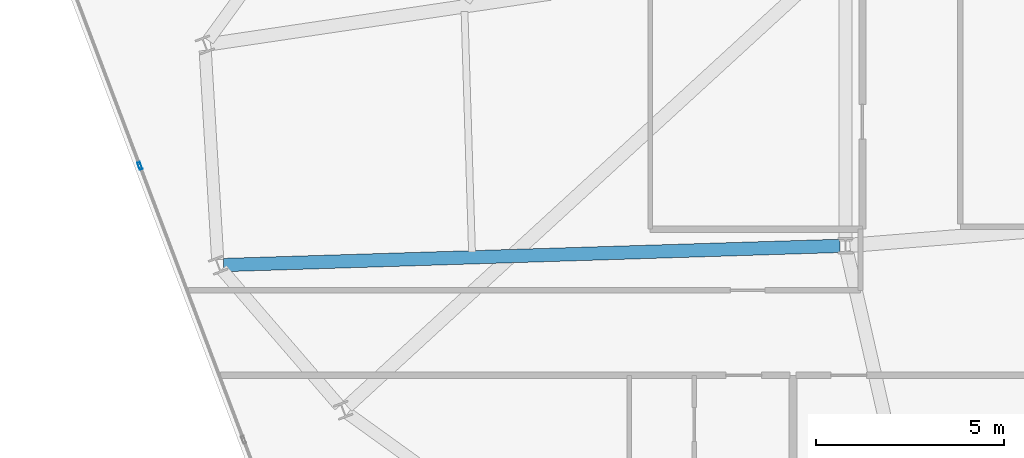
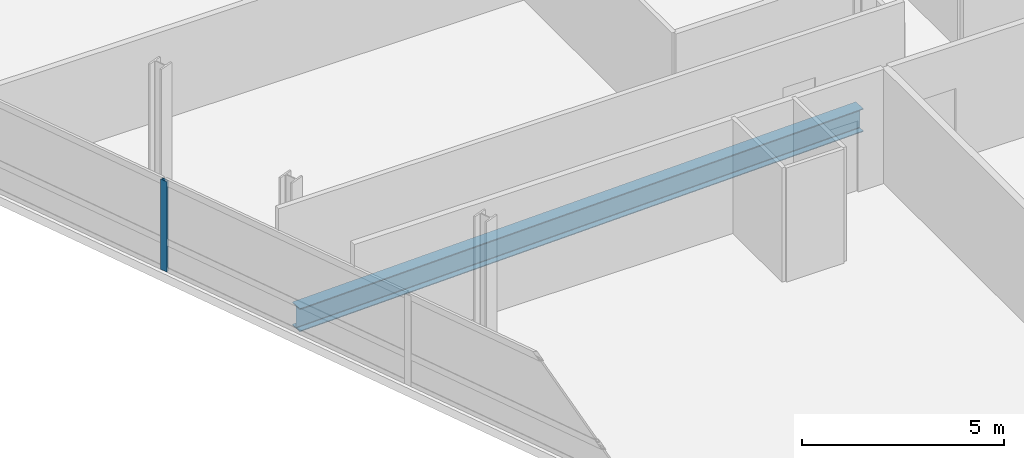
# One storey, part 8 of 23: 1 beam, 1 member, 1 element without a shape of its own.
"""IFC4 building model written with IfcOpenShell, lengths in metres."""

from ifc_helpers import new_model, si_unit, direction, frame, origin, origin_2d, place, context, subcontext, project, spatial, hollow_rectangle, i_section, extrude, material, layer, layer_set, material_profile, profile_set, type_object, element, aggregate, save


model = new_model("IFC4")

# Units and contexts
model_context = context("Model", 3, precision=1e-05, world=origin(), true_north=direction((0.0, 1.0)))
body_context = subcontext(model_context, "Body", "Model", "MODEL_VIEW")
ifc_project = project(units=[si_unit("LENGTHUNIT", "METRE"), si_unit("AREAUNIT", "SQUARE_METRE"), si_unit("VOLUMEUNIT", "CUBIC_METRE"), si_unit("PLANEANGLEUNIT", "RADIAN"), si_unit("MASSUNIT", "GRAM", prefix="KILO")], contexts=[model_context])

# Site, building, storey
site_placement = place(None, origin())
site = spatial("IfcSite", under=ifc_project, at=site_placement, CompositionType="ELEMENT")
building_placement = place(site_placement, origin())
building = spatial("IfcBuilding", under=site, at=building_placement, Name="Varnelok Gate Tower", CompositionType="ELEMENT")
storey_placement = place(building_placement, frame((0.0, 0.0, 227.5)))
storey = spatial("IfcBuildingStorey", under=building, at=storey_placement, Name="L58", CompositionType="ELEMENT", Elevation=227.5)

# Beam
ifc_material_1 = material(Name="Structural Steel ASTM A992 Grade 50", Category="steel")
ifc_material_profile_1 = material_profile(ifc_material_1, i_section(OverallWidth=0.35498046875, OverallDepth=0.696044921875, WebThickness=0.015380859375, FlangeThickness=0.02490234375, FilletRadius=0.02001953125, at=origin_2d()), Name="W27X146")
ifc_profile_set_1 = profile_set([ifc_material_profile_1], Name="Structural Steel ASTM A992 Grade 50")
beam_type = type_object("IfcBeamType", Name="BM-PRI-W27X146", PredefinedType="BEAM", material=ifc_profile_set_1)
beam_placement = place(storey_placement, frame((24.25, 18.79541015625, -0.597900390625), z_axis=(-0.999516665435, -0.031087546033, 0.0), x_axis=(0.031087546033, -0.999516665435, 0.0)))
element("IfcBeam", 1, at=beam_placement, inside=storey, type_object=beam_type, Name="L58 Radial Floor Girder 15", PredefinedType="BEAM", context=body_context, shape_type="SweptSolid", body=[
    extrude(i_section(OverallWidth=0.35498046875, OverallDepth=0.696044921875, WebThickness=0.015380859375, FlangeThickness=0.02490234375, FilletRadius=0.02001953125, at=origin_2d()), origin(), (0.0, 0.0, 1.0), 16.413330078125),
])

# Curtain wall, member
ifc_material_2 = material(Name="Anodized Aluminum Alloy 6063-T6", Category="aluminium")
ifc_layer = layer(ifc_material_2, 0.179931640625)
ifc_layer_set = layer_set([ifc_layer], Name="Anodized Aluminum Alloy 6063-T6")
curtain_wall_type = type_object("IfcCurtainWallType", Name="CW4-RESIDENCE-VISION", PredefinedType="USERDEFINED", material=ifc_layer_set)
curtain_wall_placement = place(storey_placement, origin())
curtain_wall = element("IfcCurtainWall", 2, at=curtain_wall_placement, inside=storey, type_object=curtain_wall_type, Name="L58 West End Vision Curtain Wall", ObjectType="UNITISED CURTAIN WALL", PredefinedType="USERDEFINED")
ifc_material_profile_2 = material_profile(ifc_material_2, hollow_rectangle(XDim=0.074951171875, YDim=0.199951171875, WallThickness=0.00390625, at=origin_2d()), Name="ALU200X75X4")
ifc_profile_set_2 = profile_set([ifc_material_profile_2], Name="Anodized Aluminum Alloy 6063-T6")
member_type = type_object("IfcMemberType", Name="CW-MULL-200", PredefinedType="MULLION", material=ifc_profile_set_2)
member_placement = place(storey_placement, frame((5.61328125, 20.9248046875, 0.0), z_axis=(0.0, 0.0, 1.0), x_axis=(-0.935221557832, -0.354063042079, 0.0)))
member = element("IfcMember", 3, at=member_placement, type_object=member_type, Name="CW4 mullion 4", PredefinedType="MULLION", context=body_context, shape_type="SweptSolid", body=[
    extrude(hollow_rectangle(XDim=0.074951171875, YDim=0.199951171875, WallThickness=0.00390625, at=origin_2d()), origin(), (0.0, 0.0, 1.0), 2.72998046875),
])
aggregate(curtain_wall, [member])

save(model, "model.ifc")
